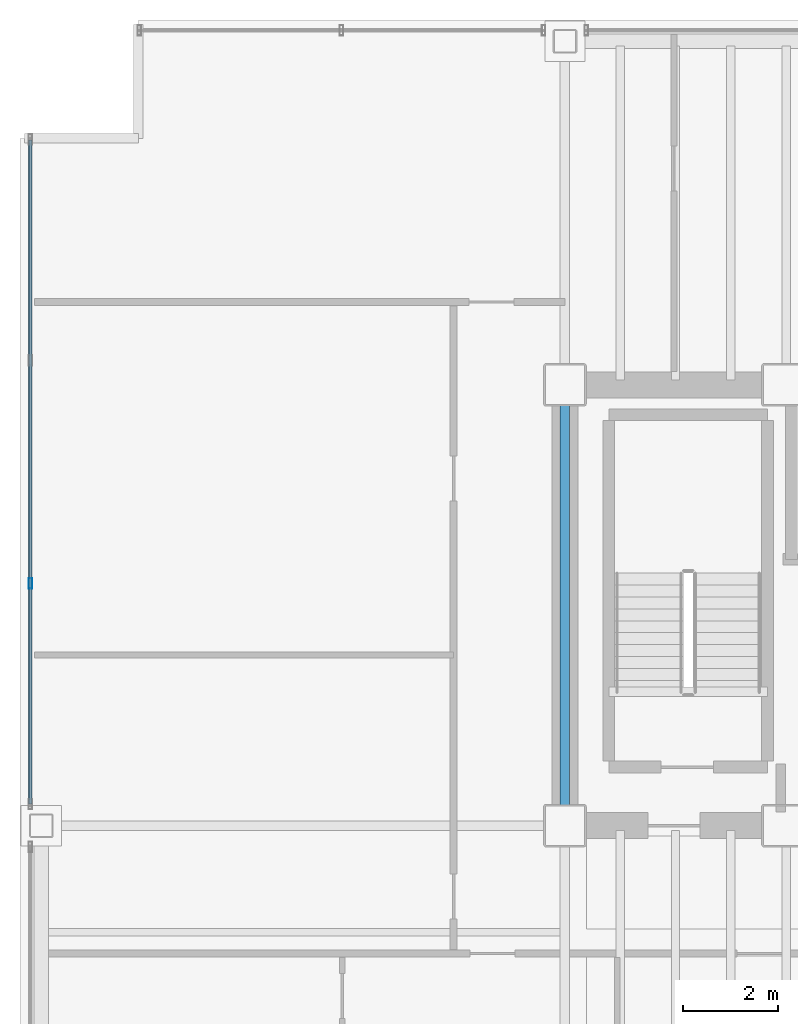
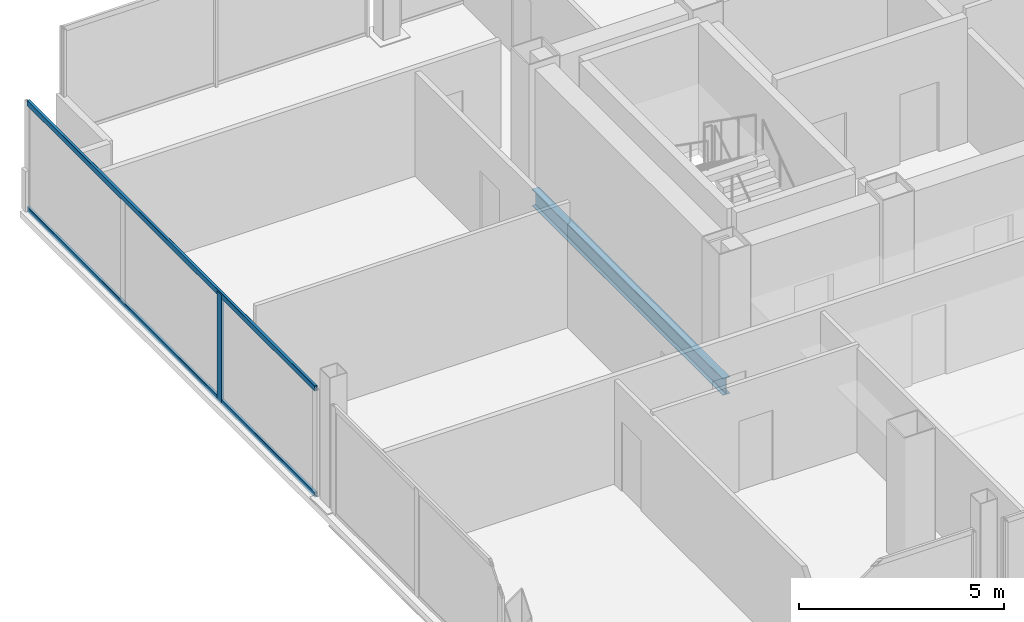
# One storey, part 6 of 19: 3 members, 1 beam, 1 element without a shape of its own.
"""IFC4 building model written with IfcOpenShell, lengths in metres."""

from ifc_helpers import new_model, si_unit, direction, frame, origin, origin_2d, place, context, subcontext, project, spatial, hollow_rectangle, i_section, extrude, material, material_profile, profile_set, type_object, element, aggregate, save


model = new_model("IFC4")

# Units and contexts
model_context = context("Model", 3, precision=1e-05, world=origin(), true_north=direction((0.0, 1.0)))
body_context = subcontext(model_context, "Body", "Model", "MODEL_VIEW")
ifc_project = project(units=[si_unit("LENGTHUNIT", "METRE"), si_unit("AREAUNIT", "SQUARE_METRE"), si_unit("VOLUMEUNIT", "CUBIC_METRE"), si_unit("PLANEANGLEUNIT", "RADIAN"), si_unit("MASSUNIT", "GRAM", prefix="KILO")], contexts=[model_context])

# Site, building, storey
site_placement = place(None, origin())
site = spatial("IfcSite", under=ifc_project, at=site_placement, CompositionType="ELEMENT")
building_placement = place(site_placement, origin())
building = spatial("IfcBuilding", under=site, at=building_placement, Name="Noeulbin Bourse Tower", CompositionType="ELEMENT")
storey_placement = place(building_placement, frame((0.0, 0.0, 153.89990234375)))
storey = spatial("IfcBuildingStorey", under=building, at=storey_placement, Name="L38", CompositionType="ELEMENT", Elevation=153.89990234375)

# Beam
ifc_material_1 = material(Name="Steel S355", Category="steel")
ifc_material_profile_1 = material_profile(ifc_material_1, i_section(OverallWidth=0.199951171875, OverallDepth=0.5, WebThickness=0.010009765625, FlangeThickness=0.01611328125, FilletRadius=0.02001953125, at=origin_2d()), Name="H-500x200x10x16", Category="LoadBearing")
ifc_profile_set_1 = profile_set([ifc_material_profile_1], Name="Steel S355")
beam_type = type_object("IfcBeamType", Name="BM-GRD-500", PredefinedType="USERDEFINED", material=ifc_profile_set_1)
beam_placement = place(storey_placement, frame((13.5, 29.0, -0.429931640625), z_axis=(0.0, 1.0, 0.0), x_axis=(-1.0, 0.0, 0.0)))
element("IfcBeam", 1, at=beam_placement, inside=storey, type_object=beam_type, Name="Tower Primary Girder NS L38-1.3", ObjectType="GIRDER", PredefinedType="USERDEFINED", context=body_context, shape_type="SweptSolid", body=[
    extrude(i_section(OverallWidth=0.199951171875, OverallDepth=0.5, WebThickness=0.010009765625, FlangeThickness=0.01611328125, FilletRadius=0.02001953125, at=origin_2d()), origin(), (0.0, 0.0, 1.0), 9.300048828125),
])

# Curtain wall, members
ifc_material_2 = material(Name="Dark Tinted Triple Glazing", Category="glass")
curtain_wall_type = type_object("IfcCurtainWallType", Name="CW-SYS-3", PredefinedType="NOTDEFINED", material=ifc_material_2)
curtain_wall_placement = place(storey_placement, origin())
curtain_wall = element("IfcCurtainWall", 2, at=curtain_wall_placement, inside=storey, type_object=curtain_wall_type, Name="Unitised Curtain Wall CW-L38-W-S2", PredefinedType="NOTDEFINED")
ifc_material_3 = material(Name="Anodised Aluminium 6063-T6", Category="aluminium")
ifc_material_profile_2 = material_profile(ifc_material_3, hollow_rectangle(XDim=0.074951171875, YDim=0.219970703125, WallThickness=0.0048828125, InnerFilletRadius=0.00244140625, OuterFilletRadius=0.0048828125, at=origin_2d()), Name="ALU-MULL-75x220x5", Category="LoadBearing")
ifc_profile_set_2 = profile_set([ifc_material_profile_2], Name="Anodised Aluminium 6063-T6")
member_type_1 = type_object("IfcMemberType", Name="CW-SYS-3-MUL", PredefinedType="MULLION", material=ifc_profile_set_2)
member_1_placement = place(storey_placement, frame((2.219970703125, 34.11328125, -0.02001953125), z_axis=(0.0, 0.0, 1.0), x_axis=(1.0, 0.0, 0.0)))
member_1 = element("IfcMember", 3, at=member_1_placement, type_object=member_type_1, Name="Curtain Wall Mullion CW-L38-W-S2-M01", PredefinedType="MULLION", context=body_context, shape_type="SweptSolid", body=[
    extrude(hollow_rectangle(XDim=0.074951171875, YDim=0.219970703125, WallThickness=0.0048828125, InnerFilletRadius=0.00244140625, OuterFilletRadius=0.0048828125, at=origin_2d()), origin(), (0.0, 0.0, 1.0), 3.22021484375),
])
ifc_material_profile_3 = material_profile(ifc_material_3, hollow_rectangle(XDim=0.074951171875, YDim=0.159912109375, WallThickness=0.0048828125, InnerFilletRadius=0.00244140625, OuterFilletRadius=0.0048828125, at=origin_2d()), Name="ALU-TRAN-75x160x5", Category="LoadBearing")
ifc_profile_set_3 = profile_set([ifc_material_profile_3], Name="Anodised Aluminium 6063-T6")
member_type_2 = type_object("IfcMemberType", Name="CW-SYS-3-TRN", PredefinedType="USERDEFINED", material=ifc_profile_set_3)
member_2_placement = place(storey_placement, frame((2.219970703125, 29.4599609375, 0.010009765625), z_axis=(0.0, 1.0, 0.0), x_axis=(-1.0, 0.0, 0.0)))
member_2 = element("IfcMember", 4, at=member_2_placement, type_object=member_type_2, Name="Curtain Wall Transom CW-L38-W-S2-T00", ObjectType="TRANSOM", PredefinedType="USERDEFINED", context=body_context, shape_type="SweptSolid", body=[
    extrude(hollow_rectangle(XDim=0.074951171875, YDim=0.159912109375, WallThickness=0.0048828125, InnerFilletRadius=0.00244140625, OuterFilletRadius=0.0048828125, at=origin_2d()), origin(), (0.0, 0.0, 1.0), 14.010009765625),
])
member_3_placement = place(storey_placement, frame((2.219970703125, 29.4599609375, 3.170166015625), z_axis=(0.0, 1.0, 0.0), x_axis=(-1.0, 0.0, 0.0)))
member_3 = element("IfcMember", 5, at=member_3_placement, type_object=member_type_2, Name="Curtain Wall Transom CW-L38-W-S2-T01", ObjectType="TRANSOM", PredefinedType="USERDEFINED", context=body_context, shape_type="SweptSolid", body=[
    extrude(hollow_rectangle(XDim=0.074951171875, YDim=0.159912109375, WallThickness=0.0048828125, InnerFilletRadius=0.00244140625, OuterFilletRadius=0.0048828125, at=origin_2d()), origin(), (0.0, 0.0, 1.0), 14.010009765625),
])
aggregate(curtain_wall, [member_1, member_2, member_3])

save(model, "model.ifc")
